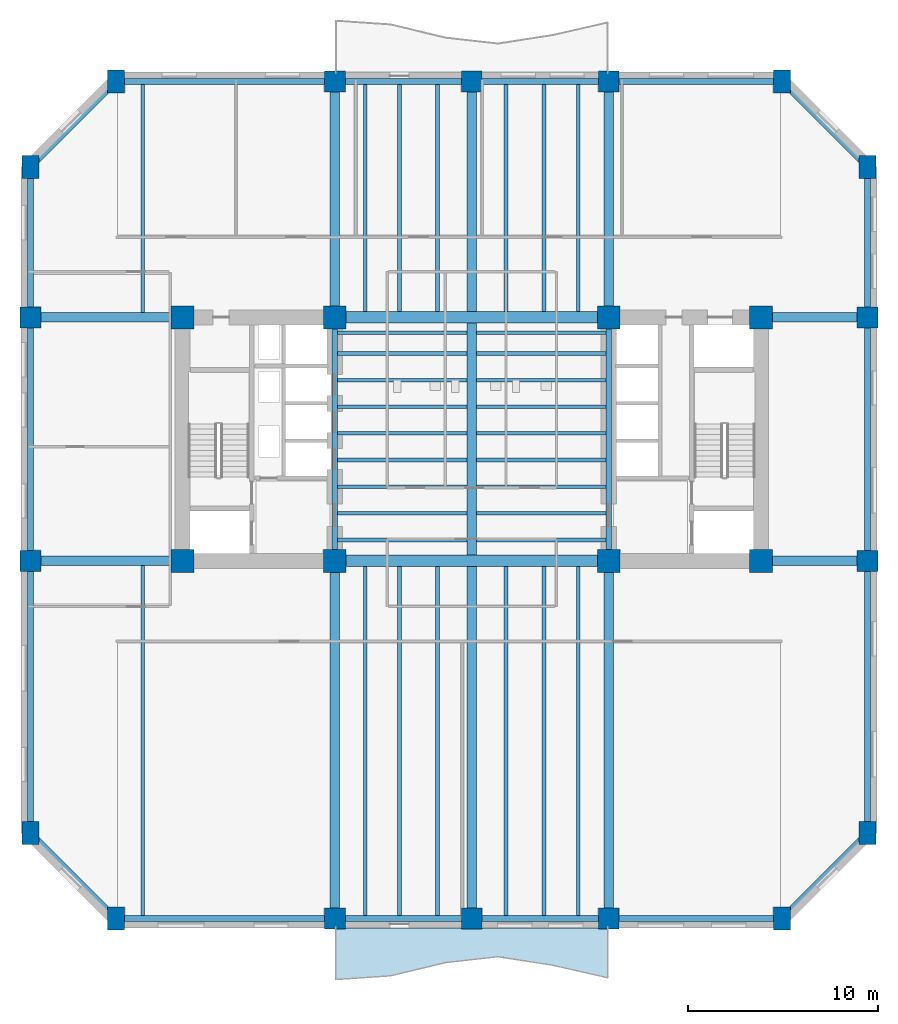
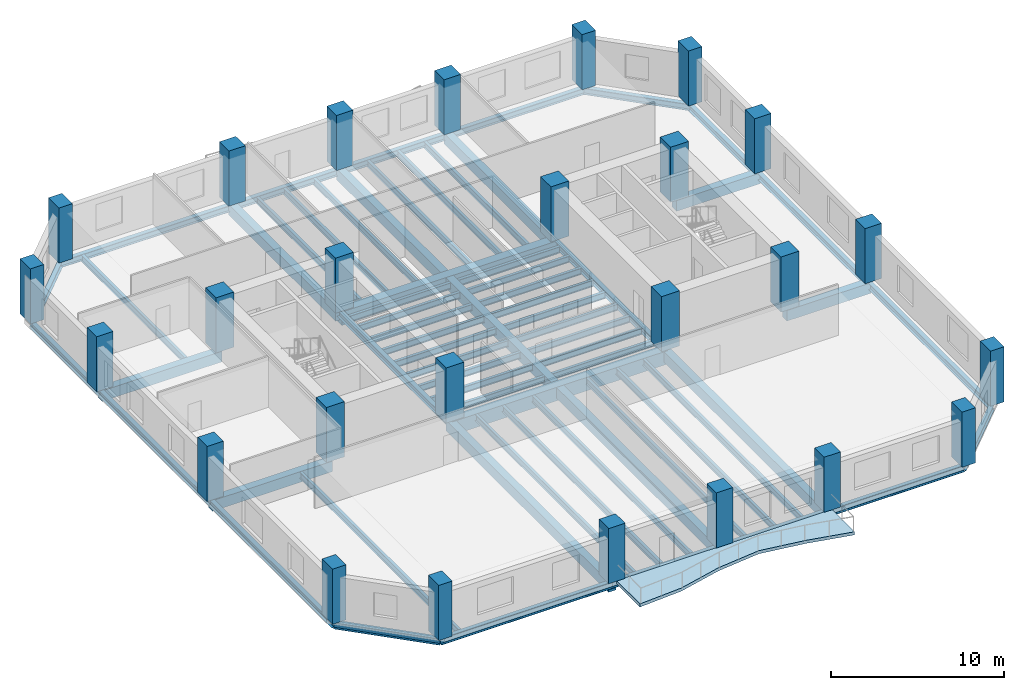
# One storey, part 1 of 9: 65 beams, 26 columns, 1 slab.
"""IFC4 building model written with IfcOpenShell, lengths in metres."""

from ifc_helpers import new_model, si_unit, direction, frame, origin, origin_2d, place, context, subcontext, project, spatial, polyline, rectangle, i_section, outline, extrude, material, layer, layer_set, material_profile, profile_set, type_object, element, save


model = new_model("IFC4")

# Units and contexts
model_context = context("Model", 3, precision=1e-05, world=origin(), true_north=direction((0.0, 1.0)))
body_context = subcontext(model_context, "Body", "Model", "MODEL_VIEW")
ifc_project = project(units=[si_unit("LENGTHUNIT", "METRE"), si_unit("AREAUNIT", "SQUARE_METRE"), si_unit("VOLUMEUNIT", "CUBIC_METRE"), si_unit("PLANEANGLEUNIT", "RADIAN"), si_unit("MASSUNIT", "GRAM", prefix="KILO")], contexts=[model_context])

# Site, building, storey
site_placement = place(None, origin())
site = spatial("IfcSite", under=ifc_project, at=site_placement, CompositionType="ELEMENT")
building_placement = place(site_placement, origin())
building = spatial("IfcBuilding", under=site, at=building_placement, Name="Kranthara Brick Stack", CompositionType="ELEMENT")
storey_placement = place(building_placement, frame((0.0, 0.0, 28.199951171875)))
storey = spatial("IfcBuildingStorey", under=building, at=storey_placement, Name="L06", CompositionType="ELEMENT", Elevation=28.199951171875)

# Columns
ifc_material_1 = material(Name="Concrete C70/85", Category="concrete")
ifc_material_profile_1 = material_profile(ifc_material_1, rectangle(XDim=0.89990234375, YDim=1.199951171875, at=origin_2d()), Name="RC 900x1200")
ifc_profile_set_1 = profile_set([ifc_material_profile_1], Name="Concrete C70/85")
column_type_1 = type_object("IfcColumnType", Name="COL-CHAM-900x1200", PredefinedType="COLUMN", material=ifc_profile_set_1)
for number, where, z_axis, x_axis, name in (
    (1, (9.300048828125, 2.0, 0.0), (0.0, 0.0, 1.0), (1.0, 0.0, 0.0), "L06 Column 09"),
    (2, (9.300048828125, 46.0, 0.0), (0.0, 0.0, 1.0), (1.0, 0.0, 0.0), "L06 Column 10"),
    (3, (44.300048828125, 2.0, 0.0), (0.0, 0.0, 1.0), (1.0, 0.0, 0.0), "L06 Column 17"),
    (4, (44.300048828125, 46.0, 0.0), (0.0, 0.0, 1.0), (1.0, 0.0, 0.0), "L06 Column 18"),
    (5, (4.800048828125, 6.5, 0.0), (0.0, 0.0, 1.0), (1.0, 0.0, 0.0), "L06 Column 19"),
    (6, (48.800048828125, 6.5, 0.0), (0.0, 0.0, 1.0), (1.0, 0.0, 0.0), "L06 Column 20"),
    (7, (4.800048828125, 41.5, 0.0), (0.0, 0.0, 1.0), (1.0, 0.0, 0.0), "L06 Column 25"),
    (8, (48.800048828125, 41.5, 0.0), (0.0, 0.0, 1.0), (1.0, 0.0, 0.0), "L06 Column 26"),
):
    element("IfcColumn", number, at=place(storey_placement, frame(where, z_axis=z_axis, x_axis=x_axis)), inside=storey, type_object=column_type_1, Name=name, PredefinedType="COLUMN", context=body_context, shape_type="SweptSolid", body=[
        extrude(rectangle(XDim=0.89990234375, YDim=1.199951171875, at=origin_2d()), origin(), (0.0, 0.0, 1.0), 3.900146484375),
    ])
ifc_material_2 = material(Name="Concrete C70/85", Category="concrete")
ifc_material_profile_2 = material_profile(ifc_material_2, rectangle(XDim=1.199951171875, YDim=1.199951171875, at=origin_2d()), Name="RC 1200x1200")
ifc_profile_set_2 = profile_set([ifc_material_profile_2], Name="Concrete C70/85")
column_type_2 = type_object("IfcColumnType", Name="COL-CORE-1200", PredefinedType="COLUMN", material=ifc_profile_set_2)
for number, where, z_axis, x_axis, name in (
    (9, (12.800048828125, 20.800048828125, 0.0), (0.0, 0.0, 1.0), (1.0, 0.0, 0.0), "L06 Column 01"),
    (10, (20.800048828125, 20.800048828125, 0.0), (0.0, 0.0, 1.0), (1.0, 0.0, 0.0), "L06 Column 02"),
    (11, (12.800048828125, 33.60009765625, 0.0), (0.0, 0.0, 1.0), (1.0, 0.0, 0.0), "L06 Column 03"),
    (12, (20.800048828125, 33.60009765625, 0.0), (0.0, 0.0, 1.0), (1.0, 0.0, 0.0), "L06 Column 04"),
    (13, (35.199951171875, 20.800048828125, 0.0), (0.0, 0.0, 1.0), (1.0, 0.0, 0.0), "L06 Column 05"),
    (14, (43.199951171875, 20.800048828125, 0.0), (0.0, 0.0, 1.0), (1.0, 0.0, 0.0), "L06 Column 06"),
    (15, (35.199951171875, 33.60009765625, 0.0), (0.0, 0.0, 1.0), (1.0, 0.0, 0.0), "L06 Column 07"),
    (16, (43.199951171875, 33.60009765625, 0.0), (0.0, 0.0, 1.0), (1.0, 0.0, 0.0), "L06 Column 08"),
):
    element("IfcColumn", number, at=place(storey_placement, frame(where, z_axis=z_axis, x_axis=x_axis)), inside=storey, type_object=column_type_2, Name=name, PredefinedType="COLUMN", context=body_context, shape_type="SweptSolid", body=[
        extrude(rectangle(XDim=1.199951171875, YDim=1.199951171875, at=origin_2d()), origin(), (0.0, 0.0, 1.0), 3.900146484375),
    ])
ifc_material_3 = material(Name="Concrete C70/85", Category="concrete")
ifc_material_profile_3 = material_profile(ifc_material_3, rectangle(XDim=1.10009765625, YDim=1.10009765625, at=origin_2d()), Name="RC 1100x1100")
ifc_profile_set_3 = profile_set([ifc_material_profile_3], Name="Concrete C70/85")
column_type_3 = type_object("IfcColumnType", Name="COL-PER-1100", PredefinedType="COLUMN", material=ifc_profile_set_3)
for number, where, z_axis, x_axis, name in (
    (17, (20.800048828125, 2.0, 0.0), (0.0, 0.0, 1.0), (1.0, 0.0, 0.0), "L06 Column 11"),
    (18, (20.800048828125, 46.0, 0.0), (0.0, 0.0, 1.0), (1.0, 0.0, 0.0), "L06 Column 12"),
    (19, (28.0, 2.0, 0.0), (0.0, 0.0, 1.0), (1.0, 0.0, 0.0), "L06 Column 13"),
    (20, (28.0, 46.0, 0.0), (0.0, 0.0, 1.0), (1.0, 0.0, 0.0), "L06 Column 14"),
    (21, (35.199951171875, 2.0, 0.0), (0.0, 0.0, 1.0), (1.0, 0.0, 0.0), "L06 Column 15"),
    (22, (35.199951171875, 46.0, 0.0), (0.0, 0.0, 1.0), (1.0, 0.0, 0.0), "L06 Column 16"),
    (23, (4.800048828125, 20.800048828125, 0.0), (0.0, 0.0, 1.0), (1.0, 0.0, 0.0), "L06 Column 21"),
    (24, (48.800048828125, 20.800048828125, 0.0), (0.0, 0.0, 1.0), (1.0, 0.0, 0.0), "L06 Column 22"),
    (25, (4.800048828125, 33.60009765625, 0.0), (0.0, 0.0, 1.0), (1.0, 0.0, 0.0), "L06 Column 23"),
    (26, (48.800048828125, 33.60009765625, 0.0), (0.0, 0.0, 1.0), (1.0, 0.0, 0.0), "L06 Column 24"),
):
    element("IfcColumn", number, at=place(storey_placement, frame(where, z_axis=z_axis, x_axis=x_axis)), inside=storey, type_object=column_type_3, Name=name, PredefinedType="COLUMN", context=body_context, shape_type="SweptSolid", body=[
        extrude(rectangle(XDim=1.10009765625, YDim=1.10009765625, at=origin_2d()), origin(), (0.0, 0.0, 1.0), 3.900146484375),
    ])

# Beams
ifc_material_4 = material(Name="Concrete C60/75", Category="concrete")
ifc_material_profile_4 = material_profile(ifc_material_4, rectangle(XDim=0.60009765625, YDim=0.949951171875, at=origin_2d()), Name="RC 600x950")
ifc_profile_set_4 = profile_set([ifc_material_profile_4], Name="Concrete C60/75")
beam_type_1 = type_object("IfcBeamType", Name="BM-CPL-RC950", PredefinedType="LINTEL", material=ifc_profile_set_4)
for number, where, z_axis, x_axis, name in (
    (27, (20.800048828125, 20.800048828125, -0.77490234375), (1.0, 0.0, 0.0), (0.0, 1.0, 0.0), "L06 Core Coupling Beam 001"),
    (28, (20.800048828125, 33.60009765625, -0.77490234375), (1.0, 0.0, 0.0), (0.0, 1.0, 0.0), "L06 Core Coupling Beam 002"),
):
    element("IfcBeam", number, at=place(storey_placement, frame(where, z_axis=z_axis, x_axis=x_axis)), inside=storey, type_object=beam_type_1, Name=name, PredefinedType="LINTEL", context=body_context, shape_type="SweptSolid", body=[
        extrude(rectangle(XDim=0.60009765625, YDim=0.949951171875, at=origin_2d()), origin(), (0.0, 0.0, 1.0), 14.39990234375),
    ])
ifc_material_5 = material(Name="Post-tensioned concrete C45/55", Category="concrete")
ifc_material_profile_5 = material_profile(ifc_material_5, rectangle(XDim=0.5, YDim=0.75, at=origin_2d()), Name="PT 500x750")
ifc_profile_set_5 = profile_set([ifc_material_profile_5], Name="Post-tensioned concrete C45/55")
beam_type_2 = type_object("IfcBeamType", Name="BM-FLR-PT750", PredefinedType="BEAM", material=ifc_profile_set_5)
beam_1_placement = place(storey_placement, frame((20.800048828125, 2.0, -0.675048828125), z_axis=(0.0, 1.0, 0.0), x_axis=(-1.0, 0.0, 0.0)))
element("IfcBeam", 29, at=beam_1_placement, inside=storey, type_object=beam_type_2, Name="L06 Primary Grid Girder 023", PredefinedType="BEAM", context=body_context, shape_type="SweptSolid", body=[
    extrude(rectangle(XDim=0.5, YDim=0.75, at=origin_2d()), origin(), (0.0, 0.0, 1.0), 18.800048828125),
])
beam_2_placement = place(storey_placement, frame((20.800048828125, 33.60009765625, -0.675048828125), z_axis=(0.0, 1.0, 0.0), x_axis=(-1.0, 0.0, 0.0)))
element("IfcBeam", 30, at=beam_2_placement, inside=storey, type_object=beam_type_2, Name="L06 Primary Grid Girder 024", PredefinedType="BEAM", context=body_context, shape_type="SweptSolid", body=[
    extrude(rectangle(XDim=0.5, YDim=0.75, at=origin_2d()), origin(), (0.0, 0.0, 1.0), 12.39990234375),
])
beam_3_placement = place(storey_placement, frame((28.0, 2.0, -0.675048828125), z_axis=(0.0, 1.0, 0.0), x_axis=(-1.0, 0.0, 0.0)))
element("IfcBeam", 31, at=beam_3_placement, inside=storey, type_object=beam_type_2, Name="L06 Primary Grid Girder 025", PredefinedType="BEAM", context=body_context, shape_type="SweptSolid", body=[
    extrude(rectangle(XDim=0.5, YDim=0.75, at=origin_2d()), origin(), (0.0, 0.0, 1.0), 18.5),
])
beam_4_placement = place(storey_placement, frame((28.0, 21.10009765625, -0.675048828125), z_axis=(0.0, 1.0, 0.0), x_axis=(-1.0, 0.0, 0.0)))
element("IfcBeam", 32, at=beam_4_placement, inside=storey, type_object=beam_type_2, Name="L06 Central Spine Girder 026", PredefinedType="BEAM", context=body_context, shape_type="SweptSolid", body=[
    extrude(rectangle(XDim=0.5, YDim=0.75, at=origin_2d()), origin(), (0.0, 0.0, 1.0), 12.199951171875),
])
beam_5_placement = place(storey_placement, frame((28.0, 33.89990234375, -0.675048828125), z_axis=(0.0, 1.0, 0.0), x_axis=(-1.0, 0.0, 0.0)))
element("IfcBeam", 33, at=beam_5_placement, inside=storey, type_object=beam_type_2, Name="L06 Primary Grid Girder 027", PredefinedType="BEAM", context=body_context, shape_type="SweptSolid", body=[
    extrude(rectangle(XDim=0.5, YDim=0.75, at=origin_2d()), origin(), (0.0, 0.0, 1.0), 12.10009765625),
])
beam_6_placement = place(storey_placement, frame((35.199951171875, 2.0, -0.675048828125), z_axis=(0.0, 1.0, 0.0), x_axis=(-1.0, 0.0, 0.0)))
element("IfcBeam", 34, at=beam_6_placement, inside=storey, type_object=beam_type_2, Name="L06 Primary Grid Girder 028", PredefinedType="BEAM", context=body_context, shape_type="SweptSolid", body=[
    extrude(rectangle(XDim=0.5, YDim=0.75, at=origin_2d()), origin(), (0.0, 0.0, 1.0), 18.800048828125),
])
beam_7_placement = place(storey_placement, frame((35.199951171875, 33.60009765625, -0.675048828125), z_axis=(0.0, 1.0, 0.0), x_axis=(-1.0, 0.0, 0.0)))
element("IfcBeam", 35, at=beam_7_placement, inside=storey, type_object=beam_type_2, Name="L06 Primary Grid Girder 029", PredefinedType="BEAM", context=body_context, shape_type="SweptSolid", body=[
    extrude(rectangle(XDim=0.5, YDim=0.75, at=origin_2d()), origin(), (0.0, 0.0, 1.0), 12.39990234375),
])
beam_8_placement = place(storey_placement, frame((4.800048828125, 20.800048828125, -0.675048828125), z_axis=(1.0, 0.0, 0.0), x_axis=(0.0, 1.0, 0.0)))
element("IfcBeam", 36, at=beam_8_placement, inside=storey, type_object=beam_type_2, Name="L06 Primary Grid Girder 030", PredefinedType="BEAM", context=body_context, shape_type="SweptSolid", body=[
    extrude(rectangle(XDim=0.5, YDim=0.75, at=origin_2d()), origin(), (0.0, 0.0, 1.0), 8.0),
])
beam_9_placement = place(storey_placement, frame((43.199951171875, 20.800048828125, -0.675048828125), z_axis=(1.0, 0.0, 0.0), x_axis=(0.0, 1.0, 0.0)))
element("IfcBeam", 37, at=beam_9_placement, inside=storey, type_object=beam_type_2, Name="L06 Primary Grid Girder 031", PredefinedType="BEAM", context=body_context, shape_type="SweptSolid", body=[
    extrude(rectangle(XDim=0.5, YDim=0.75, at=origin_2d()), origin(), (0.0, 0.0, 1.0), 5.60009765625),
])
beam_10_placement = place(storey_placement, frame((4.800048828125, 33.60009765625, -0.675048828125), z_axis=(1.0, 0.0, 0.0), x_axis=(0.0, 1.0, 0.0)))
element("IfcBeam", 38, at=beam_10_placement, inside=storey, type_object=beam_type_2, Name="L06 Primary Grid Girder 032", PredefinedType="BEAM", context=body_context, shape_type="SweptSolid", body=[
    extrude(rectangle(XDim=0.5, YDim=0.75, at=origin_2d()), origin(), (0.0, 0.0, 1.0), 8.0),
])
beam_11_placement = place(storey_placement, frame((43.199951171875, 33.60009765625, -0.675048828125), z_axis=(1.0, 0.0, 0.0), x_axis=(0.0, 1.0, 0.0)))
element("IfcBeam", 39, at=beam_11_placement, inside=storey, type_object=beam_type_2, Name="L06 Primary Grid Girder 033", PredefinedType="BEAM", context=body_context, shape_type="SweptSolid", body=[
    extrude(rectangle(XDim=0.5, YDim=0.75, at=origin_2d()), origin(), (0.0, 0.0, 1.0), 5.60009765625),
])
ifc_material_6 = material(Name="Steel S355", Category="steel")
ifc_material_profile_6 = material_profile(ifc_material_6, i_section(OverallWidth=0.18994140625, OverallDepth=0.449951171875, WebThickness=0.009521484375, FlangeThickness=0.0146484375, at=origin_2d()), Name="IPE 450")
ifc_profile_set_6 = profile_set([ifc_material_profile_6], Name="Steel S355")
beam_type_3 = type_object("IfcBeamType", Name="BM-JST-IPE450", PredefinedType="JOIST", material=ifc_profile_set_6)
for number, where, z_axis, x_axis, name in (
    (40, (20.949951171875, 21.89990234375, -0.52490234375), (1.0, 0.0, 0.0), (0.0, 1.0, 0.0), "L06 Central Floor Joist 034"),
    (41, (28.25, 21.89990234375, -0.52490234375), (1.0, 0.0, 0.0), (0.0, 1.0, 0.0), "L06 Central Floor Joist 035"),
    (42, (20.949951171875, 23.300048828125, -0.52490234375), (1.0, 0.0, 0.0), (0.0, 1.0, 0.0), "L06 Central Floor Joist 036"),
    (43, (28.25, 23.300048828125, -0.52490234375), (1.0, 0.0, 0.0), (0.0, 1.0, 0.0), "L06 Central Floor Joist 037"),
    (44, (20.949951171875, 24.699951171875, -0.52490234375), (1.0, 0.0, 0.0), (0.0, 1.0, 0.0), "L06 Central Floor Joist 038"),
    (45, (28.25, 24.699951171875, -0.52490234375), (1.0, 0.0, 0.0), (0.0, 1.0, 0.0), "L06 Central Floor Joist 039"),
    (46, (20.949951171875, 26.10009765625, -0.52490234375), (1.0, 0.0, 0.0), (0.0, 1.0, 0.0), "L06 Central Floor Joist 040"),
    (47, (28.25, 26.10009765625, -0.52490234375), (1.0, 0.0, 0.0), (0.0, 1.0, 0.0), "L06 Central Floor Joist 041"),
    (48, (20.949951171875, 27.5, -0.52490234375), (1.0, 0.0, 0.0), (0.0, 1.0, 0.0), "L06 Central Floor Joist 042"),
    (49, (28.25, 27.5, -0.52490234375), (1.0, 0.0, 0.0), (0.0, 1.0, 0.0), "L06 Central Floor Joist 043"),
    (50, (20.949951171875, 28.89990234375, -0.52490234375), (1.0, 0.0, 0.0), (0.0, 1.0, 0.0), "L06 Central Floor Joist 044"),
    (51, (28.25, 28.89990234375, -0.52490234375), (1.0, 0.0, 0.0), (0.0, 1.0, 0.0), "L06 Central Floor Joist 045"),
    (52, (20.949951171875, 30.300048828125, -0.52490234375), (1.0, 0.0, 0.0), (0.0, 1.0, 0.0), "L06 Central Floor Joist 046"),
    (53, (28.25, 30.300048828125, -0.52490234375), (1.0, 0.0, 0.0), (0.0, 1.0, 0.0), "L06 Central Floor Joist 047"),
    (54, (20.949951171875, 31.699951171875, -0.52490234375), (1.0, 0.0, 0.0), (0.0, 1.0, 0.0), "L06 Central Floor Joist 048"),
    (55, (28.25, 31.699951171875, -0.52490234375), (1.0, 0.0, 0.0), (0.0, 1.0, 0.0), "L06 Central Floor Joist 049"),
    (56, (20.949951171875, 32.800048828125, -0.52490234375), (1.0, 0.0, 0.0), (0.0, 1.0, 0.0), "L06 Central Floor Joist 050"),
    (57, (28.25, 32.800048828125, -0.52490234375), (1.0, 0.0, 0.0), (0.0, 1.0, 0.0), "L06 Central Floor Joist 051"),
):
    element("IfcBeam", number, at=place(storey_placement, frame(where, z_axis=z_axis, x_axis=x_axis)), inside=storey, type_object=beam_type_3, Name=name, PredefinedType="JOIST", context=body_context, shape_type="SweptSolid", body=[
        extrude(i_section(OverallWidth=0.18994140625, OverallDepth=0.449951171875, WebThickness=0.009521484375, FlangeThickness=0.0146484375, at=origin_2d()), origin(), (0.0, 0.0, 1.0), 6.800048828125),
    ])
beam_12_placement = place(storey_placement, frame((10.699951171875, 2.14990234375, -0.52490234375), z_axis=(0.0, 1.0, 0.0), x_axis=(-1.0, 0.0, 0.0)))
element("IfcBeam", 58, at=beam_12_placement, inside=storey, type_object=beam_type_3, Name="L06 South Wing Floor Joist 052", PredefinedType="JOIST", context=body_context, shape_type="SweptSolid", body=[
    extrude(i_section(OverallWidth=0.18994140625, OverallDepth=0.449951171875, WebThickness=0.009521484375, FlangeThickness=0.0146484375, at=origin_2d()), origin(), (0.0, 0.0, 1.0), 18.400146484375),
])
beam_13_placement = place(storey_placement, frame((10.699951171875, 33.85009765625, -0.52490234375), z_axis=(0.0, 1.0, 0.0), x_axis=(-1.0, 0.0, 0.0)))
element("IfcBeam", 59, at=beam_13_placement, inside=storey, type_object=beam_type_3, Name="L06 North Wing Floor Joist 053", PredefinedType="JOIST", context=body_context, shape_type="SweptSolid", body=[
    extrude(i_section(OverallWidth=0.18994140625, OverallDepth=0.449951171875, WebThickness=0.009521484375, FlangeThickness=0.0146484375, at=origin_2d()), origin(), (0.0, 0.0, 1.0), 12.0),
])
beam_14_placement = place(storey_placement, frame((22.39990234375, 2.14990234375, -0.52490234375), z_axis=(0.0, 1.0, 0.0), x_axis=(-1.0, 0.0, 0.0)))
element("IfcBeam", 60, at=beam_14_placement, inside=storey, type_object=beam_type_3, Name="L06 South Wing Floor Joist 054", PredefinedType="JOIST", context=body_context, shape_type="SweptSolid", body=[
    extrude(i_section(OverallWidth=0.18994140625, OverallDepth=0.449951171875, WebThickness=0.009521484375, FlangeThickness=0.0146484375, at=origin_2d()), origin(), (0.0, 0.0, 1.0), 18.35009765625),
])
beam_15_placement = place(storey_placement, frame((22.39990234375, 33.89990234375, -0.52490234375), z_axis=(0.0, 1.0, 0.0), x_axis=(-1.0, 0.0, 0.0)))
element("IfcBeam", 61, at=beam_15_placement, inside=storey, type_object=beam_type_3, Name="L06 North Wing Floor Joist 055", PredefinedType="JOIST", context=body_context, shape_type="SweptSolid", body=[
    extrude(i_section(OverallWidth=0.18994140625, OverallDepth=0.449951171875, WebThickness=0.009521484375, FlangeThickness=0.0146484375, at=origin_2d()), origin(), (0.0, 0.0, 1.0), 11.9501953125),
])
beam_16_placement = place(storey_placement, frame((24.199951171875, 2.14990234375, -0.52490234375), z_axis=(0.0, 1.0, 0.0), x_axis=(-1.0, 0.0, 0.0)))
element("IfcBeam", 62, at=beam_16_placement, inside=storey, type_object=beam_type_3, Name="L06 South Wing Floor Joist 056", PredefinedType="JOIST", context=body_context, shape_type="SweptSolid", body=[
    extrude(i_section(OverallWidth=0.18994140625, OverallDepth=0.449951171875, WebThickness=0.009521484375, FlangeThickness=0.0146484375, at=origin_2d()), origin(), (0.0, 0.0, 1.0), 18.35009765625),
])
beam_17_placement = place(storey_placement, frame((24.199951171875, 33.89990234375, -0.52490234375), z_axis=(0.0, 1.0, 0.0), x_axis=(-1.0, 0.0, 0.0)))
element("IfcBeam", 63, at=beam_17_placement, inside=storey, type_object=beam_type_3, Name="L06 North Wing Floor Joist 057", PredefinedType="JOIST", context=body_context, shape_type="SweptSolid", body=[
    extrude(i_section(OverallWidth=0.18994140625, OverallDepth=0.449951171875, WebThickness=0.009521484375, FlangeThickness=0.0146484375, at=origin_2d()), origin(), (0.0, 0.0, 1.0), 11.9501953125),
])
beam_18_placement = place(storey_placement, frame((26.199951171875, 2.14990234375, -0.52490234375), z_axis=(0.0, 1.0, 0.0), x_axis=(-1.0, 0.0, 0.0)))
element("IfcBeam", 64, at=beam_18_placement, inside=storey, type_object=beam_type_3, Name="L06 South Wing Floor Joist 058", PredefinedType="JOIST", context=body_context, shape_type="SweptSolid", body=[
    extrude(i_section(OverallWidth=0.18994140625, OverallDepth=0.449951171875, WebThickness=0.009521484375, FlangeThickness=0.0146484375, at=origin_2d()), origin(), (0.0, 0.0, 1.0), 18.35009765625),
])
beam_19_placement = place(storey_placement, frame((26.199951171875, 33.89990234375, -0.52490234375), z_axis=(0.0, 1.0, 0.0), x_axis=(-1.0, 0.0, 0.0)))
element("IfcBeam", 65, at=beam_19_placement, inside=storey, type_object=beam_type_3, Name="L06 North Wing Floor Joist 059", PredefinedType="JOIST", context=body_context, shape_type="SweptSolid", body=[
    extrude(i_section(OverallWidth=0.18994140625, OverallDepth=0.449951171875, WebThickness=0.009521484375, FlangeThickness=0.0146484375, at=origin_2d()), origin(), (0.0, 0.0, 1.0), 11.9501953125),
])
beam_20_placement = place(storey_placement, frame((29.800048828125, 2.14990234375, -0.52490234375), z_axis=(0.0, 1.0, 0.0), x_axis=(-1.0, 0.0, 0.0)))
element("IfcBeam", 66, at=beam_20_placement, inside=storey, type_object=beam_type_3, Name="L06 South Wing Floor Joist 060", PredefinedType="JOIST", context=body_context, shape_type="SweptSolid", body=[
    extrude(i_section(OverallWidth=0.18994140625, OverallDepth=0.449951171875, WebThickness=0.009521484375, FlangeThickness=0.0146484375, at=origin_2d()), origin(), (0.0, 0.0, 1.0), 18.35009765625),
])
beam_21_placement = place(storey_placement, frame((29.800048828125, 33.89990234375, -0.52490234375), z_axis=(0.0, 1.0, 0.0), x_axis=(-1.0, 0.0, 0.0)))
element("IfcBeam", 67, at=beam_21_placement, inside=storey, type_object=beam_type_3, Name="L06 North Wing Floor Joist 061", PredefinedType="JOIST", context=body_context, shape_type="SweptSolid", body=[
    extrude(i_section(OverallWidth=0.18994140625, OverallDepth=0.449951171875, WebThickness=0.009521484375, FlangeThickness=0.0146484375, at=origin_2d()), origin(), (0.0, 0.0, 1.0), 11.9501953125),
])
beam_22_placement = place(storey_placement, frame((31.800048828125, 2.14990234375, -0.52490234375), z_axis=(0.0, 1.0, 0.0), x_axis=(-1.0, 0.0, 0.0)))
element("IfcBeam", 68, at=beam_22_placement, inside=storey, type_object=beam_type_3, Name="L06 South Wing Floor Joist 062", PredefinedType="JOIST", context=body_context, shape_type="SweptSolid", body=[
    extrude(i_section(OverallWidth=0.18994140625, OverallDepth=0.449951171875, WebThickness=0.009521484375, FlangeThickness=0.0146484375, at=origin_2d()), origin(), (0.0, 0.0, 1.0), 18.35009765625),
])
beam_23_placement = place(storey_placement, frame((31.800048828125, 33.89990234375, -0.52490234375), z_axis=(0.0, 1.0, 0.0), x_axis=(-1.0, 0.0, 0.0)))
element("IfcBeam", 69, at=beam_23_placement, inside=storey, type_object=beam_type_3, Name="L06 North Wing Floor Joist 063", PredefinedType="JOIST", context=body_context, shape_type="SweptSolid", body=[
    extrude(i_section(OverallWidth=0.18994140625, OverallDepth=0.449951171875, WebThickness=0.009521484375, FlangeThickness=0.0146484375, at=origin_2d()), origin(), (0.0, 0.0, 1.0), 11.9501953125),
])
beam_24_placement = place(storey_placement, frame((33.60009765625, 2.14990234375, -0.52490234375), z_axis=(0.0, 1.0, 0.0), x_axis=(-1.0, 0.0, 0.0)))
element("IfcBeam", 70, at=beam_24_placement, inside=storey, type_object=beam_type_3, Name="L06 South Wing Floor Joist 064", PredefinedType="JOIST", context=body_context, shape_type="SweptSolid", body=[
    extrude(i_section(OverallWidth=0.18994140625, OverallDepth=0.449951171875, WebThickness=0.009521484375, FlangeThickness=0.0146484375, at=origin_2d()), origin(), (0.0, 0.0, 1.0), 18.35009765625),
])
beam_25_placement = place(storey_placement, frame((33.60009765625, 33.89990234375, -0.52490234375), z_axis=(0.0, 1.0, 0.0), x_axis=(-1.0, 0.0, 0.0)))
element("IfcBeam", 71, at=beam_25_placement, inside=storey, type_object=beam_type_3, Name="L06 North Wing Floor Joist 065", PredefinedType="JOIST", context=body_context, shape_type="SweptSolid", body=[
    extrude(i_section(OverallWidth=0.18994140625, OverallDepth=0.449951171875, WebThickness=0.009521484375, FlangeThickness=0.0146484375, at=origin_2d()), origin(), (0.0, 0.0, 1.0), 11.9501953125),
])
ifc_material_7 = material(Name="Steel S355", Category="steel")
ifc_material_profile_7 = material_profile(ifc_material_7, i_section(OverallWidth=0.300048828125, OverallDepth=0.449951171875, WebThickness=0.013916015625, FlangeThickness=0.02587890625, at=origin_2d()), Name="HEB 450")
ifc_profile_set_7 = profile_set([ifc_material_profile_7], Name="Steel S355")
beam_type_4 = type_object("IfcBeamType", Name="BM-STL-HEB450", PredefinedType="SPANDREL", material=ifc_profile_set_7)
for number, where, z_axis, x_axis, name in (
    (72, (20.800048828125, 20.800048828125, -0.52490234375), (0.0, 1.0, 0.0), (-1.0, 0.0, 0.0), "L06 Core Edge Tie Beam 003"),
    (73, (35.199951171875, 20.800048828125, -0.52490234375), (0.0, 1.0, 0.0), (-1.0, 0.0, 0.0), "L06 Core Edge Tie Beam 004"),
):
    element("IfcBeam", number, at=place(storey_placement, frame(where, z_axis=z_axis, x_axis=x_axis)), inside=storey, type_object=beam_type_4, Name=name, PredefinedType="SPANDREL", context=body_context, shape_type="SweptSolid", body=[
        extrude(i_section(OverallWidth=0.300048828125, OverallDepth=0.449951171875, WebThickness=0.013916015625, FlangeThickness=0.02587890625, at=origin_2d()), origin(), (0.0, 0.0, 1.0), 12.800048828125),
    ])
beam_26_placement = place(storey_placement, frame((9.300048828125, 2.0, -0.52490234375), z_axis=(1.0, 0.0, 0.0), x_axis=(0.0, 1.0, 0.0)))
element("IfcBeam", 74, at=beam_26_placement, inside=storey, type_object=beam_type_4, Name="L06 Perimeter Spandrel Beam 005", PredefinedType="SPANDREL", context=body_context, shape_type="SweptSolid", body=[
    extrude(i_section(OverallWidth=0.300048828125, OverallDepth=0.449951171875, WebThickness=0.013916015625, FlangeThickness=0.02587890625, at=origin_2d()), origin(), (0.0, 0.0, 1.0), 11.5),
])
for number, where, z_axis, x_axis, name in (
    (75, (20.800048828125, 2.0, -0.52490234375), (1.0, 0.0, 0.0), (0.0, 1.0, 0.0), "L06 Perimeter Spandrel Beam 006"),
    (76, (28.0, 2.0, -0.52490234375), (1.0, 0.0, 0.0), (0.0, 1.0, 0.0), "L06 Perimeter Spandrel Beam 007"),
):
    element("IfcBeam", number, at=place(storey_placement, frame(where, z_axis=z_axis, x_axis=x_axis)), inside=storey, type_object=beam_type_4, Name=name, PredefinedType="SPANDREL", context=body_context, shape_type="SweptSolid", body=[
        extrude(i_section(OverallWidth=0.300048828125, OverallDepth=0.449951171875, WebThickness=0.013916015625, FlangeThickness=0.02587890625, at=origin_2d()), origin(), (0.0, 0.0, 1.0), 7.199951171875),
    ])
beam_27_placement = place(storey_placement, frame((35.199951171875, 2.0, -0.52490234375), z_axis=(1.0, 0.0, 0.0), x_axis=(0.0, 1.0, 0.0)))
element("IfcBeam", 77, at=beam_27_placement, inside=storey, type_object=beam_type_4, Name="L06 Perimeter Spandrel Beam 008", PredefinedType="SPANDREL", context=body_context, shape_type="SweptSolid", body=[
    extrude(i_section(OverallWidth=0.300048828125, OverallDepth=0.449951171875, WebThickness=0.013916015625, FlangeThickness=0.02587890625, at=origin_2d()), origin(), (0.0, 0.0, 1.0), 9.10009765625),
])
beam_28_placement = place(storey_placement, frame((9.300048828125, 46.0, -0.52490234375), z_axis=(1.0, 0.0, 0.0), x_axis=(0.0, 1.0, 0.0)))
element("IfcBeam", 78, at=beam_28_placement, inside=storey, type_object=beam_type_4, Name="L06 Perimeter Spandrel Beam 009", PredefinedType="SPANDREL", context=body_context, shape_type="SweptSolid", body=[
    extrude(i_section(OverallWidth=0.300048828125, OverallDepth=0.449951171875, WebThickness=0.013916015625, FlangeThickness=0.02587890625, at=origin_2d()), origin(), (0.0, 0.0, 1.0), 11.5),
])
for number, where, z_axis, x_axis, name in (
    (79, (20.800048828125, 46.0, -0.52490234375), (1.0, 0.0, 0.0), (0.0, 1.0, 0.0), "L06 Perimeter Spandrel Beam 010"),
    (80, (28.0, 46.0, -0.52490234375), (1.0, 0.0, 0.0), (0.0, 1.0, 0.0), "L06 Perimeter Spandrel Beam 011"),
):
    element("IfcBeam", number, at=place(storey_placement, frame(where, z_axis=z_axis, x_axis=x_axis)), inside=storey, type_object=beam_type_4, Name=name, PredefinedType="SPANDREL", context=body_context, shape_type="SweptSolid", body=[
        extrude(i_section(OverallWidth=0.300048828125, OverallDepth=0.449951171875, WebThickness=0.013916015625, FlangeThickness=0.02587890625, at=origin_2d()), origin(), (0.0, 0.0, 1.0), 7.199951171875),
    ])
beam_29_placement = place(storey_placement, frame((35.199951171875, 46.0, -0.52490234375), z_axis=(1.0, 0.0, 0.0), x_axis=(0.0, 1.0, 0.0)))
element("IfcBeam", 81, at=beam_29_placement, inside=storey, type_object=beam_type_4, Name="L06 Perimeter Spandrel Beam 012", PredefinedType="SPANDREL", context=body_context, shape_type="SweptSolid", body=[
    extrude(i_section(OverallWidth=0.300048828125, OverallDepth=0.449951171875, WebThickness=0.013916015625, FlangeThickness=0.02587890625, at=origin_2d()), origin(), (0.0, 0.0, 1.0), 9.10009765625),
])
beam_30_placement = place(storey_placement, frame((4.800048828125, 6.5, -0.52490234375), z_axis=(0.0, 1.0, 0.0), x_axis=(-1.0, 0.0, 0.0)))
element("IfcBeam", 82, at=beam_30_placement, inside=storey, type_object=beam_type_4, Name="L06 Perimeter Spandrel Beam 013", PredefinedType="SPANDREL", context=body_context, shape_type="SweptSolid", body=[
    extrude(i_section(OverallWidth=0.300048828125, OverallDepth=0.449951171875, WebThickness=0.013916015625, FlangeThickness=0.02587890625, at=origin_2d()), origin(), (0.0, 0.0, 1.0), 14.300048828125),
])
beam_31_placement = place(storey_placement, frame((4.800048828125, 20.800048828125, -0.52490234375), z_axis=(0.0, 1.0, 0.0), x_axis=(-1.0, 0.0, 0.0)))
element("IfcBeam", 83, at=beam_31_placement, inside=storey, type_object=beam_type_4, Name="L06 Perimeter Spandrel Beam 014", PredefinedType="SPANDREL", context=body_context, shape_type="SweptSolid", body=[
    extrude(i_section(OverallWidth=0.300048828125, OverallDepth=0.449951171875, WebThickness=0.013916015625, FlangeThickness=0.02587890625, at=origin_2d()), origin(), (0.0, 0.0, 1.0), 12.800048828125),
])
beam_32_placement = place(storey_placement, frame((4.800048828125, 33.60009765625, -0.52490234375), z_axis=(0.0, 1.0, 0.0), x_axis=(-1.0, 0.0, 0.0)))
element("IfcBeam", 84, at=beam_32_placement, inside=storey, type_object=beam_type_4, Name="L06 Perimeter Spandrel Beam 015", PredefinedType="SPANDREL", context=body_context, shape_type="SweptSolid", body=[
    extrude(i_section(OverallWidth=0.300048828125, OverallDepth=0.449951171875, WebThickness=0.013916015625, FlangeThickness=0.02587890625, at=origin_2d()), origin(), (0.0, 0.0, 1.0), 7.89990234375),
])
beam_33_placement = place(storey_placement, frame((48.800048828125, 6.5, -0.52490234375), z_axis=(0.0, 1.0, 0.0), x_axis=(-1.0, 0.0, 0.0)))
element("IfcBeam", 85, at=beam_33_placement, inside=storey, type_object=beam_type_4, Name="L06 Perimeter Spandrel Beam 016", PredefinedType="SPANDREL", context=body_context, shape_type="SweptSolid", body=[
    extrude(i_section(OverallWidth=0.300048828125, OverallDepth=0.449951171875, WebThickness=0.013916015625, FlangeThickness=0.02587890625, at=origin_2d()), origin(), (0.0, 0.0, 1.0), 14.300048828125),
])
beam_34_placement = place(storey_placement, frame((48.800048828125, 20.800048828125, -0.52490234375), z_axis=(0.0, 1.0, 0.0), x_axis=(-1.0, 0.0, 0.0)))
element("IfcBeam", 86, at=beam_34_placement, inside=storey, type_object=beam_type_4, Name="L06 Perimeter Spandrel Beam 017", PredefinedType="SPANDREL", context=body_context, shape_type="SweptSolid", body=[
    extrude(i_section(OverallWidth=0.300048828125, OverallDepth=0.449951171875, WebThickness=0.013916015625, FlangeThickness=0.02587890625, at=origin_2d()), origin(), (0.0, 0.0, 1.0), 12.800048828125),
])
beam_35_placement = place(storey_placement, frame((48.800048828125, 33.60009765625, -0.52490234375), z_axis=(0.0, 1.0, 0.0), x_axis=(-1.0, 0.0, 0.0)))
element("IfcBeam", 87, at=beam_35_placement, inside=storey, type_object=beam_type_4, Name="L06 Perimeter Spandrel Beam 018", PredefinedType="SPANDREL", context=body_context, shape_type="SweptSolid", body=[
    extrude(i_section(OverallWidth=0.300048828125, OverallDepth=0.449951171875, WebThickness=0.013916015625, FlangeThickness=0.02587890625, at=origin_2d()), origin(), (0.0, 0.0, 1.0), 7.89990234375),
])
for number, where, z_axis, x_axis, name in (
    (88, (9.300048828125, 2.0, -0.52490234375), (-0.707106781187, 0.707106781187, 0.0), (-0.707106781187, -0.707106781187, 0.0), "L06 Chamfer Corner Spandrel 019"),
    (89, (44.300048828125, 2.0, -0.52490234375), (0.707106781187, 0.707106781187, 0.0), (-0.707106781187, 0.707106781187, 0.0), "L06 Chamfer Corner Spandrel 020"),
    (90, (9.300048828125, 46.0, -0.52490234375), (-0.707106781187, -0.707106781187, 0.0), (0.707106781187, -0.707106781187, 0.0), "L06 Chamfer Corner Spandrel 021"),
    (91, (44.300048828125, 46.0, -0.52490234375), (0.707106781187, -0.707106781187, 0.0), (0.707106781187, 0.707106781187, 0.0), "L06 Chamfer Corner Spandrel 022"),
):
    element("IfcBeam", number, at=place(storey_placement, frame(where, z_axis=z_axis, x_axis=x_axis)), inside=storey, type_object=beam_type_4, Name=name, PredefinedType="SPANDREL", context=body_context, shape_type="SweptSolid", body=[
        extrude(i_section(OverallWidth=0.300048828125, OverallDepth=0.449951171875, WebThickness=0.013916015625, FlangeThickness=0.02587890625, at=origin_2d()), origin(), (0.0, 0.0, 1.0), 6.364013671875),
    ])

# Slab
ifc_material_8 = material(Name="Concrete C45/55", Category="concrete")
ifc_layer = layer(ifc_material_8, 0.219970703125)
ifc_layer_set = layer_set([ifc_layer], Name="Concrete C45/55")
slab_type = type_object("IfcSlabType", Name="SLB-BALC-220", PredefinedType="FLOOR", material=ifc_layer_set)
slab_placement = place(storey_placement, frame((0.0, 0.0, -0.219970703125)))
element("IfcSlab", 92, at=slab_placement, inside=storey, type_object=slab_type, Name="L06 South Rippling Balcony Slab", PredefinedType="FLOOR", context=body_context, shape_type="SweptSolid", body=[
    extrude(outline(polyline([(20.800048828125, 1.5), (35.199951171875, 1.5), (35.199951171875, -1.12451171875), (32.320068359375, -0.461669921875), (29.43994140625, -0.004150390625), (26.56005859375, -0.32763671875), (23.679931640625, -1.02490234375), (20.800048828125, -1.219482421875), (20.800048828125, 1.5)])), origin(), (0.0, 0.0, 1.0), 0.219970703125),
])

save(model, "model.ifc")
